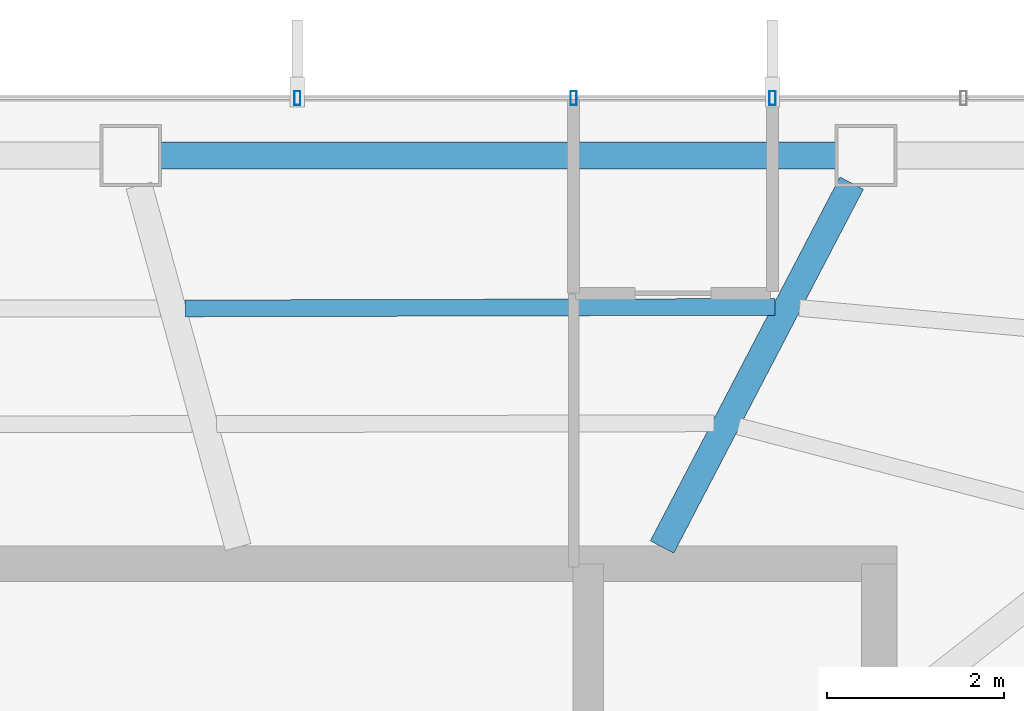
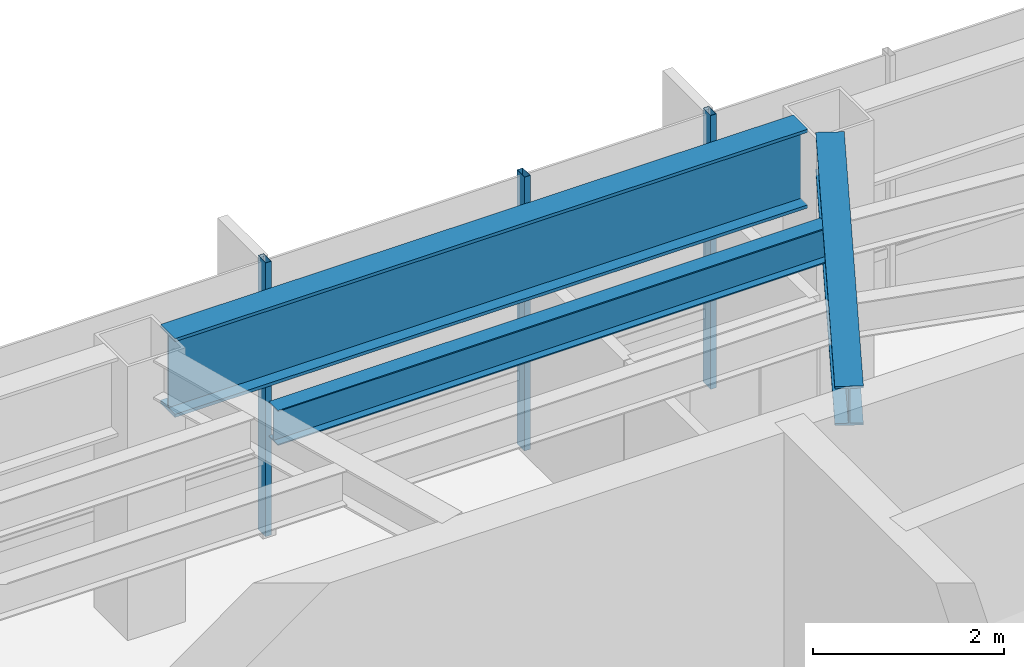
# One storey, part 15 of 27: 3 beams, 3 members, 1 element without a shape of its own.
"""IFC4 building model written with IfcOpenShell, lengths in metres."""

from ifc_helpers import new_model, si_unit, direction, frame, origin, origin_2d, place, context, subcontext, project, spatial, hollow_rectangle, i_section, extrude, material, layer, layer_set, material_profile, profile_set, type_object, element, aggregate, save


model = new_model("IFC4")

# Units and contexts
model_context = context("Model", 3, precision=1e-05, world=origin(), true_north=direction((0.0, 1.0)))
body_context = subcontext(model_context, "Body", "Model", "MODEL_VIEW")
ifc_project = project(units=[si_unit("LENGTHUNIT", "METRE"), si_unit("AREAUNIT", "SQUARE_METRE"), si_unit("VOLUMEUNIT", "CUBIC_METRE"), si_unit("PLANEANGLEUNIT", "RADIAN"), si_unit("MASSUNIT", "GRAM", prefix="KILO")], contexts=[model_context])

# Site, building, storey
site_placement = place(None, origin())
site = spatial("IfcSite", under=ifc_project, at=site_placement, CompositionType="ELEMENT")
building_placement = place(site_placement, origin())
building = spatial("IfcBuilding", under=site, at=building_placement, Name="Zarrinselat Tower", CompositionType="ELEMENT")
storey_placement = place(building_placement, frame((0.0, 0.0, 175.780029296875)))
storey = spatial("IfcBuildingStorey", under=building, at=storey_placement, Name="L43", CompositionType="ELEMENT", Elevation=175.780029296875)

# Beams
ifc_material_1 = material(Name="Steel S355J2", Category="steel")
ifc_material_profile_1 = material_profile(ifc_material_1, i_section(OverallWidth=0.300048828125, OverallDepth=0.5, WebThickness=0.014404296875, FlangeThickness=0.028076171875, at=origin_2d()), Name="HEB 500")
ifc_profile_set_1 = profile_set([ifc_material_profile_1], Name="Steel S355J2")
beam_type_1 = type_object("IfcBeamType", Name="BM-HEB500", PredefinedType="BEAM", material=ifc_profile_set_1)
beam_1_placement = place(storey_placement, frame((45.800048828125, 43.639892578125, 3.25), z_axis=(0.462199624704, 0.886775905696, 0.0), x_axis=(-0.886775905696, 0.462199624704, 0.0)))
element("IfcBeam", 1, at=beam_1_placement, inside=storey, type_object=beam_type_1, Name="L43 Radial Primary Girder RG02", PredefinedType="BEAM", context=body_context, shape_type="SweptSolid", body=[
    extrude(i_section(OverallWidth=0.300048828125, OverallDepth=0.5, WebThickness=0.014404296875, FlangeThickness=0.028076171875, at=origin_2d()), origin(), (0.0, 0.0, 1.0), 4.646240234375),
])
ifc_material_2 = material(Name="Steel S460M", Category="steel")
ifc_material_profile_2 = material_profile(ifc_material_2, i_section(OverallWidth=0.302001953125, OverallDepth=1.008056640625, WebThickness=0.02099609375, FlangeThickness=0.0400390625, at=origin_2d()), Name="HEM 1000")
ifc_profile_set_2 = profile_set([ifc_material_profile_2], Name="Steel S460M")
beam_type_2 = type_object("IfcBeamType", Name="BM-HEM1000", PredefinedType="BEAM", material=ifc_profile_set_2)
beam_2_placement = place(storey_placement, frame((40.122314453125, 48.072265625, 2.995849609375), z_axis=(1.0, 0.0, 0.0), x_axis=(0.0, 1.0, 0.0)))
element("IfcBeam", 2, at=beam_2_placement, inside=storey, type_object=beam_type_2, Name="L43 Perimeter Spandrel Girder SP02", PredefinedType="BEAM", context=body_context, shape_type="SweptSolid", body=[
    extrude(i_section(OverallWidth=0.302001953125, OverallDepth=1.008056640625, WebThickness=0.02099609375, FlangeThickness=0.0400390625, at=origin_2d()), origin(), (0.0, 0.0, 1.0), 7.64990234375),
])
ifc_material_3 = material(Name="Steel S355J2", Category="steel")
ifc_material_profile_3 = material_profile(ifc_material_3, i_section(OverallWidth=0.18994140625, OverallDepth=0.449951171875, WebThickness=0.009521484375, FlangeThickness=0.0146484375, at=origin_2d()), Name="IPE 450")
ifc_profile_set_3 = profile_set([ifc_material_profile_3], Name="Steel S355J2")
beam_type_3 = type_object("IfcBeamType", Name="BM-IPE450", PredefinedType="JOIST", material=ifc_profile_set_3)
beam_3_placement = place(storey_placement, frame((40.399169921875, 46.341552734375, 3.27490234375), z_axis=(0.999996631451, 0.002595589707, 0.0), x_axis=(-0.002595589707, 0.999996631451, 0.0)))
element("IfcBeam", 3, at=beam_3_placement, inside=storey, type_object=beam_type_3, Name="L43 Composite Floor Joist 7-1", PredefinedType="JOIST", context=body_context, shape_type="SweptSolid", body=[
    extrude(i_section(OverallWidth=0.18994140625, OverallDepth=0.449951171875, WebThickness=0.009521484375, FlangeThickness=0.0146484375, at=origin_2d()), origin(), (0.0, 0.0, 1.0), 6.67822265625),
])

# Curtain wall, members
ifc_material_4 = material(Name="Extruded Aluminium Alloy EN AW-6063 T6", Category="aluminium")
ifc_layer = layer(ifc_material_4, 0.175048828125)
ifc_layer_set = layer_set([ifc_layer], Name="Extruded Aluminium Alloy EN AW-6063 T6")
curtain_wall_type = type_object("IfcCurtainWallType", Name="CWS-HTL", PredefinedType="NOTDEFINED", material=ifc_layer_set)
curtain_wall_placement = place(storey_placement, origin())
curtain_wall = element("IfcCurtainWall", 4, at=curtain_wall_placement, inside=storey, type_object=curtain_wall_type, Name="L43 Unitised Curtain Wall CW-L43-E01", PredefinedType="NOTDEFINED")
ifc_material_5 = material(Name="Extruded Aluminium Alloy EN AW-6063 T6", Category="aluminium")
ifc_material_profile_4 = material_profile(ifc_material_5, hollow_rectangle(XDim=0.070068359375, YDim=0.159912109375, WallThickness=0.00390625, at=origin_2d()), Name="RHS 160x70x4")
ifc_profile_set_4 = profile_set([ifc_material_profile_4], Name="Extruded Aluminium Alloy EN AW-6063 T6")
member_type = type_object("IfcMemberType", Name="MEM-CW-MUL2", PredefinedType="MULLION", material=ifc_profile_set_4)
member_1_placement = place(storey_placement, frame((47.050048828125, 48.72216796875, 0.0), z_axis=(0.0, 0.0, 1.0), x_axis=(-1.0, 0.0, 0.0)))
member_1 = element("IfcMember", 5, at=member_1_placement, type_object=member_type, Name="CW-L43-E01 Mullion 3", PredefinedType="MULLION", context=body_context, shape_type="SweptSolid", body=[
    extrude(hollow_rectangle(XDim=0.070068359375, YDim=0.159912109375, WallThickness=0.00390625, at=origin_2d()), origin(), (0.0, 0.0, 1.0), 3.5),
])
member_2_placement = place(storey_placement, frame((44.800048828125, 48.72216796875, 0.0), z_axis=(0.0, 0.0, 1.0), x_axis=(-1.0, 0.0, 0.0)))
member_2 = element("IfcMember", 6, at=member_2_placement, type_object=member_type, Name="CW-L43-E01 Mullion 4", PredefinedType="MULLION", context=body_context, shape_type="SweptSolid", body=[
    extrude(hollow_rectangle(XDim=0.070068359375, YDim=0.159912109375, WallThickness=0.00390625, at=origin_2d()), origin(), (0.0, 0.0, 1.0), 3.5),
])
member_3_placement = place(storey_placement, frame((41.67041015625, 48.72216796875, 0.0), z_axis=(0.0, 0.0, 1.0), x_axis=(-1.0, 0.0, 0.0)))
member_3 = element("IfcMember", 7, at=member_3_placement, type_object=member_type, Name="CW-L43-E01 Mullion 5", PredefinedType="MULLION", context=body_context, shape_type="SweptSolid", body=[
    extrude(hollow_rectangle(XDim=0.070068359375, YDim=0.159912109375, WallThickness=0.00390625, at=origin_2d()), origin(), (0.0, 0.0, 1.0), 3.5),
])
aggregate(curtain_wall, [member_1, member_2, member_3])

save(model, "model.ifc")
